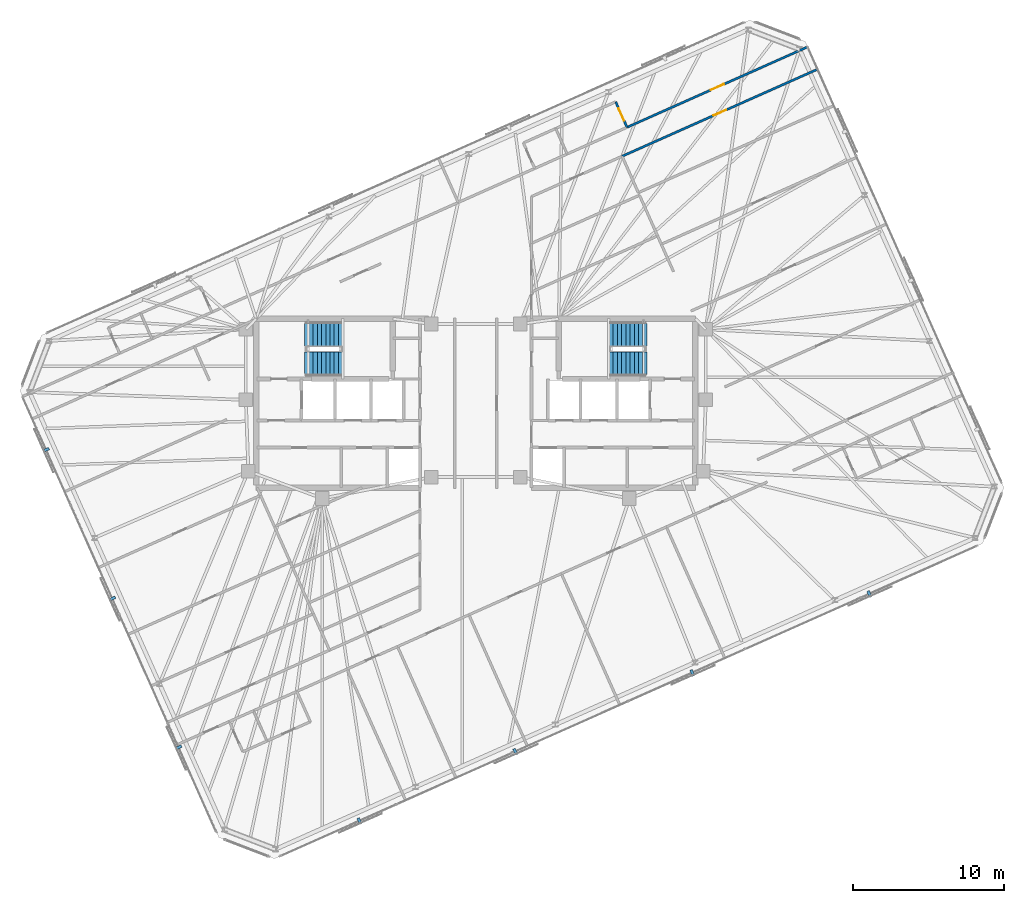
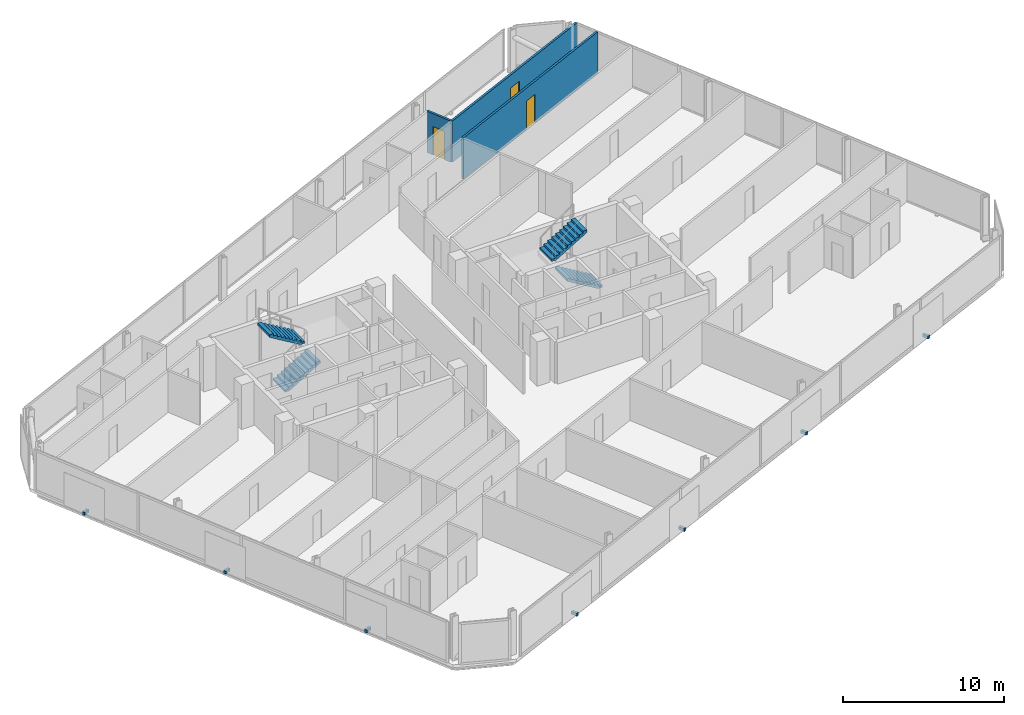
# One storey, part 17 of 19: 7 discrete accessories, 4 stair flights, 3 doors, 3 walls, 3 openings, 2 elements without a shape of their own.
"""IFC4 building model written with IfcOpenShell, lengths in metres."""

from ifc_helpers import new_model, si_unit, direction, frame, frame_2d, origin, origin_2d, place, context, subcontext, project, spatial, polyline, rectangle, outline, extrude, material, layer, layer_set, type_object, element, fill, aggregate, save


model = new_model("IFC4")

# Units and contexts
model_context = context("Model", 3, precision=1e-05, world=origin(), true_north=direction((0.0, 1.0)))
body_context = subcontext(model_context, "Body", "Model", "MODEL_VIEW")
ifc_project = project(units=[si_unit("LENGTHUNIT", "METRE"), si_unit("AREAUNIT", "SQUARE_METRE"), si_unit("VOLUMEUNIT", "CUBIC_METRE"), si_unit("PLANEANGLEUNIT", "RADIAN"), si_unit("MASSUNIT", "GRAM", prefix="KILO")], contexts=[model_context])

# Site, building, storey
site_placement = place(None, origin())
site = spatial("IfcSite", under=ifc_project, at=site_placement, CompositionType="ELEMENT")
building_placement = place(site_placement, origin())
building = spatial("IfcBuilding", under=site, at=building_placement, Name="Menara Jurai Vektor", CompositionType="ELEMENT")
storey_placement = place(building_placement, frame((0.0, 0.0, 262.199951171875)))
storey = spatial("IfcBuildingStorey", under=building, at=storey_placement, Name="L70", CompositionType="ELEMENT", Elevation=262.199951171875)

# Wall, opening, door
ifc_material_1 = material(Name="Gypsum Fireboard Partition", Category="gypsum")
ifc_layer = layer(ifc_material_1, 0.14990234375)
ifc_layer_set = layer_set([ifc_layer], Name="Gypsum Fireboard Partition")
wall_type = type_object("IfcWallType", Name="INT-WALL-CORR-150", PredefinedType="PARTITIONING", material=ifc_layer_set)
wall_1_placement = place(storey_placement, frame((10.029541015625, 18.294189453125, 0.0), z_axis=(0.0, 0.0, 1.0), x_axis=(0.913545706015, 0.406736085222, 0.0)))
wall_1 = element("IfcWall", 1, at=wall_1_placement, inside=storey, type_object=wall_type, Name="Interior Wall IW-150 L70", PredefinedType="PARTITIONING", context=body_context, shape_type="SweptSolid", body=[
    extrude(rectangle(XDim=13.113037109375, YDim=0.14990234375, at=frame_2d((6.556640625, 0.0))), origin(), (0.0, 0.0, 1.0), 3.125),
])
opening_1_placement = place(wall_1_placement, frame((6.08154296875, 0.0, 0.0)))
opening_1 = element("IfcOpeningElement", 2, at=opening_1_placement, cuts=wall_1, Name="Opening D70-12", PredefinedType="OPENING", context=body_context, shape_type="SweptSolid", body=[
    extrude(rectangle(XDim=0.949951171875, YDim=2.14990234375, at=frame_2d((0.47509765625, 1.074951171875))), frame((0.0, 0.0849609375, 0.0), z_axis=(0.0, -1.0, 0.0), x_axis=(1.0, 0.0, 0.0)), (0.0, 0.0, 1.0), 0.169921875),
])
ifc_material_2 = material(Name="Solid Core Timber Fire Door", Category="wood")
door_type_1 = type_object("IfcDoorType", Name="DR-ENTRY-950", OperationType="NOTDEFINED", PredefinedType="DOOR", material=ifc_material_2)
door_1_placement = place(opening_1_placement, origin())
door_1 = element("IfcDoor", 3, at=door_1_placement, inside=storey, type_object=door_type_1, Name="Interior Door D70-12", OperationType="SINGLE_SWING_LEFT", OverallHeight=2.14990234375, OverallWidth=0.949951171875, PredefinedType="DOOR", context=body_context, shape_type="SweptSolid", body=[
    extrude(rectangle(XDim=0.949951171875, YDim=2.14990234375, at=frame_2d((0.47509765625, 1.074951171875))), frame((0.0, 0.02490234375, 0.0), z_axis=(0.0, -1.0, 0.0), x_axis=(1.0, 0.0, 0.0)), (0.0, 0.0, 1.0), 0.050048828125),
])
fill(opening_1, door_1)

wall_2_placement = place(storey_placement, frame((9.70263671875, 16.37548828125, 0.0), z_axis=(0.0, 0.0, 1.0), x_axis=(0.913544622417, 0.406738519018, 0.0)))
wall_2 = element("IfcWall", 4, at=wall_2_placement, inside=storey, type_object=wall_type, Name="Interior Wall IW-150 L70", PredefinedType="PARTITIONING", context=body_context, shape_type="SweptSolid", body=[
    extrude(rectangle(XDim=14.192138671875, YDim=0.14990234375, at=frame_2d((7.09619140625, 0.0))), origin(), (0.0, 0.0, 1.0), 3.125),
])
opening_2_placement = place(wall_2_placement, frame((6.635986328125, 0.0, 0.0)))
opening_2 = element("IfcOpeningElement", 5, at=opening_2_placement, cuts=wall_2, Name="Opening D70-45", PredefinedType="OPENING", context=body_context, shape_type="SweptSolid", body=[
    extrude(rectangle(XDim=0.919921875, YDim=2.14990234375, at=frame_2d((0.4599609375, 1.074951171875))), frame((0.0, 0.0849609375, 0.0), z_axis=(0.0, -1.0, 0.0), x_axis=(1.0, 0.0, 0.0)), (0.0, 0.0, 1.0), 0.169921875),
])
door_2_placement = place(opening_2_placement, origin())
door_2 = element("IfcDoor", 6, at=door_2_placement, inside=storey, type_object=door_type_1, Name="Interior Door D70-45", OperationType="SINGLE_SWING_RIGHT", OverallHeight=2.14990234375, OverallWidth=0.919921875, PredefinedType="DOOR", context=body_context, shape_type="SweptSolid", body=[
    extrude(rectangle(XDim=0.919921875, YDim=2.14990234375, at=frame_2d((0.4599609375, 1.074951171875))), frame((0.0, 0.02490234375, 0.0), z_axis=(0.0, -1.0, 0.0), x_axis=(1.0, 0.0, 0.0)), (0.0, 0.0, 1.0), 0.050048828125),
])
fill(opening_2, door_2)

wall_3_placement = place(storey_placement, frame((10.029541015625, 18.294189453125, 0.0), z_axis=(0.0, 0.0, 1.0), x_axis=(-0.406701600856, 0.913561058639, 0.0)))
wall_3 = element("IfcWall", 7, at=wall_3_placement, inside=storey, type_object=wall_type, Name="Interior Wall IW-150 L70", PredefinedType="PARTITIONING", context=body_context, shape_type="SweptSolid", body=[
    extrude(rectangle(XDim=1.85009765625, YDim=0.14990234375, at=frame_2d((0.925048828125, 0.0))), origin(), (0.0, 0.0, 1.0), 3.125),
])
opening_3_placement = place(wall_3_placement, frame((0.47509765625, 0.0, 0.0)))
opening_3 = element("IfcOpeningElement", 8, at=opening_3_placement, cuts=wall_3, Name="Opening D70-14", PredefinedType="OPENING", context=body_context, shape_type="SweptSolid", body=[
    extrude(rectangle(XDim=0.89990234375, YDim=2.14990234375, at=frame_2d((0.449951171875, 1.074951171875))), frame((0.0, 0.0849609375, 0.0), z_axis=(0.0, -1.0, 0.0), x_axis=(1.0, 0.0, 0.0)), (0.0, 0.0, 1.0), 0.169921875),
])
ifc_material_3 = material(Name="Acoustic Timber Interior Door", Category="wood")
door_type_2 = type_object("IfcDoorType", Name="DR-ROOM-900", OperationType="NOTDEFINED", PredefinedType="DOOR", material=ifc_material_3)
door_3_placement = place(opening_3_placement, origin())
door_3 = element("IfcDoor", 9, at=door_3_placement, inside=storey, type_object=door_type_2, Name="Interior Door D70-14", OperationType="SINGLE_SWING_LEFT", OverallHeight=2.14990234375, OverallWidth=0.89990234375, PredefinedType="DOOR", context=body_context, shape_type="SweptSolid", body=[
    extrude(rectangle(XDim=0.89990234375, YDim=2.14990234375, at=frame_2d((0.449951171875, 1.074951171875))), frame((0.0, 0.02490234375, 0.0), z_axis=(0.0, -1.0, 0.0), x_axis=(1.0, 0.0, 0.0)), (0.0, 0.0, 1.0), 0.050048828125),
])
fill(opening_3, door_3)

# Stair, stair flights
ifc_material_4 = material(Name="Concrete C40/50", Category="concrete")
stair_type = type_object("IfcStairType", Name="STAIR-DOGLEG-1500", PredefinedType="HALF_TURN_STAIR", material=ifc_material_4)
stair_1_placement = place(storey_placement, origin())
stair_1 = element("IfcStair", 10, at=stair_1_placement, inside=storey, type_object=stair_type, Name="Protected Exit Stair ST1 L70", PredefinedType="HALF_TURN_STAIR")
stair_flight_type = type_object("IfcStairFlightType", Name="STAIR-FLIGHT-1500", PredefinedType="STRAIGHT", material=ifc_material_4)
stair_flight_1_placement = place(storey_placement, frame((-11.35009765625, 2.64990234375, 0.0), z_axis=(0.0, 0.0, 1.0), x_axis=(1.0, 0.0, 0.0)))
stair_flight_1 = element("IfcStairFlight", 11, at=stair_flight_1_placement, type_object=stair_flight_type, Name="ST1 flight 1", NumberOfRisers=10, NumberOfTreads=9, PredefinedType="STRAIGHT", RiserHeight=0.1675, TreadLength=0.28, context=body_context, shape_type="SweptSolid", body=[
    extrude(outline(polyline([(0.0, 0.0), (0.0, 0.16748046875), (0.280029296875, 0.16748046875), (0.280029296875, 0.3349609375), (0.56005859375, 0.3349609375), (0.56005859375, 0.50244140625), (0.840087890625, 0.50244140625), (0.840087890625, 0.669921875), (1.1201171875, 0.669921875), (1.1201171875, 0.83740234375), (1.39990234375, 0.83740234375), (1.39990234375, 1.0048828125), (1.679931640625, 1.0048828125), (1.679931640625, 1.172607421875), (1.9599609375, 1.172607421875), (1.9599609375, 1.340087890625), (2.239990234375, 1.340087890625), (2.239990234375, 1.507568359375), (2.52001953125, 1.507568359375), (2.52001953125, 1.675048828125), (2.52001953125, 1.321044921875), (0.3115234375, 0.0), (0.0, 0.0)])), frame((0.0, 0.75, 0.0), z_axis=(0.0, -1.0, 0.0), x_axis=(1.0, 0.0, 0.0)), (0.0, 0.0, 1.0), 1.5),
])
stair_flight_2_placement = place(storey_placement, frame((-8.830078125, 4.550048828125, 1.675048828125), z_axis=(0.0, 0.0, 1.0), x_axis=(-1.0, 0.0, 0.0)))
stair_flight_2 = element("IfcStairFlight", 12, at=stair_flight_2_placement, type_object=stair_flight_type, Name="ST1 flight 2", NumberOfRisers=10, NumberOfTreads=9, PredefinedType="STRAIGHT", RiserHeight=0.1675, TreadLength=0.28, context=body_context, shape_type="SweptSolid", body=[
    extrude(outline(polyline([(0.0, 0.0), (0.0, 0.16748046875), (0.280029296875, 0.16748046875), (0.280029296875, 0.3349609375), (0.56005859375, 0.3349609375), (0.56005859375, 0.50244140625), (0.840087890625, 0.50244140625), (0.840087890625, 0.669921875), (1.1201171875, 0.669921875), (1.1201171875, 0.83740234375), (1.39990234375, 0.83740234375), (1.39990234375, 1.0048828125), (1.679931640625, 1.0048828125), (1.679931640625, 1.172607421875), (1.9599609375, 1.172607421875), (1.9599609375, 1.340087890625), (2.239990234375, 1.340087890625), (2.239990234375, 1.507568359375), (2.52001953125, 1.507568359375), (2.52001953125, 1.675048828125), (2.52001953125, 1.321044921875), (0.3115234375, 0.0), (0.0, 0.0)])), frame((0.0, 0.75, 0.0), z_axis=(0.0, -1.0, 0.0), x_axis=(1.0, 0.0, 0.0)), (0.0, 0.0, 1.0), 1.5),
])
aggregate(stair_1, [stair_flight_1, stair_flight_2])

stair_2_placement = place(storey_placement, origin())
stair_2 = element("IfcStair", 13, at=stair_2_placement, inside=storey, type_object=stair_type, Name="Protected Exit Stair ST2 L70", PredefinedType="HALF_TURN_STAIR")
stair_flight_3_placement = place(storey_placement, frame((11.35009765625, 2.64990234375, 0.0), z_axis=(0.0, 0.0, 1.0), x_axis=(-1.0, 0.0, 0.0)))
stair_flight_3 = element("IfcStairFlight", 14, at=stair_flight_3_placement, type_object=stair_flight_type, Name="ST2 flight 1", NumberOfRisers=10, NumberOfTreads=9, PredefinedType="STRAIGHT", RiserHeight=0.1675, TreadLength=0.28, context=body_context, shape_type="SweptSolid", body=[
    extrude(outline(polyline([(0.0, 0.0), (0.0, 0.16748046875), (0.280029296875, 0.16748046875), (0.280029296875, 0.3349609375), (0.56005859375, 0.3349609375), (0.56005859375, 0.50244140625), (0.840087890625, 0.50244140625), (0.840087890625, 0.669921875), (1.1201171875, 0.669921875), (1.1201171875, 0.83740234375), (1.39990234375, 0.83740234375), (1.39990234375, 1.0048828125), (1.679931640625, 1.0048828125), (1.679931640625, 1.172607421875), (1.9599609375, 1.172607421875), (1.9599609375, 1.340087890625), (2.239990234375, 1.340087890625), (2.239990234375, 1.507568359375), (2.52001953125, 1.507568359375), (2.52001953125, 1.675048828125), (2.52001953125, 1.321044921875), (0.3115234375, 0.0), (0.0, 0.0)])), frame((0.0, 0.75, 0.0), z_axis=(0.0, -1.0, 0.0), x_axis=(1.0, 0.0, 0.0)), (0.0, 0.0, 1.0), 1.5),
])
stair_flight_4_placement = place(storey_placement, frame((8.830078125, 4.550048828125, 1.675048828125), z_axis=(0.0, 0.0, 1.0), x_axis=(1.0, 0.0, 0.0)))
stair_flight_4 = element("IfcStairFlight", 15, at=stair_flight_4_placement, type_object=stair_flight_type, Name="ST2 flight 2", NumberOfRisers=10, NumberOfTreads=9, PredefinedType="STRAIGHT", RiserHeight=0.1675, TreadLength=0.28, context=body_context, shape_type="SweptSolid", body=[
    extrude(outline(polyline([(0.0, 0.0), (0.0, 0.16748046875), (0.280029296875, 0.16748046875), (0.280029296875, 0.3349609375), (0.56005859375, 0.3349609375), (0.56005859375, 0.50244140625), (0.840087890625, 0.50244140625), (0.840087890625, 0.669921875), (1.1201171875, 0.669921875), (1.1201171875, 0.83740234375), (1.39990234375, 0.83740234375), (1.39990234375, 1.0048828125), (1.679931640625, 1.0048828125), (1.679931640625, 1.172607421875), (1.9599609375, 1.172607421875), (1.9599609375, 1.340087890625), (2.239990234375, 1.340087890625), (2.239990234375, 1.507568359375), (2.52001953125, 1.507568359375), (2.52001953125, 1.675048828125), (2.52001953125, 1.321044921875), (0.3115234375, 0.0), (0.0, 0.0)])), frame((0.0, 0.75, 0.0), z_axis=(0.0, -1.0, 0.0), x_axis=(1.0, 0.0, 0.0)), (0.0, 0.0, 1.0), 1.5),
])
aggregate(stair_2, [stair_flight_3, stair_flight_4])

# Discrete accessories
ifc_material_5 = material(Name="Steel S355", Category="steel")
discrete_accessory_type = type_object("IfcDiscreteAccessoryType", Name="ENV-ACC-BRACKET", PredefinedType="BRACKET", material=ifc_material_5)
for number, where, z_axis, x_axis, name in (
    (16, (-7.711181640625, -27.7109375, -0.1298828125), (0.0, 0.0, 1.0), (0.913545457643, 0.406736643076, 0.0), "Solar Screen Stand-Off Bracket L70-S01"),
    (17, (2.619140625, -23.111572265625, -0.1298828125), (0.0, 0.0, 1.0), (0.913545457643, 0.406736643076, 0.0), "Solar Screen Stand-Off Bracket L70-S02"),
    (18, (14.358154296875, -17.885009765625, -0.1298828125), (0.0, 0.0, 1.0), (0.913545457643, 0.406736643076, 0.0), "Solar Screen Stand-Off Bracket L70-S03"),
    (19, (26.09716796875, -12.658203125, -0.1298828125), (0.0, 0.0, 1.0), (0.913545457643, 0.406736643076, 0.0), "Solar Screen Stand-Off Bracket L70-S04"),
    (20, (-28.499267578125, -3.09375, -0.1298828125), (0.0, 0.0, 1.0), (0.406736643076, -0.913545457643, 0.0), "Solar Screen Stand-Off Bracket L70-S12"),
    (21, (-24.1064453125, -12.960205078125, -0.1298828125), (0.0, 0.0, 1.0), (0.406736643076, -0.913545457643, 0.0), "Solar Screen Stand-Off Bracket L70-S13"),
    (22, (-19.713623046875, -22.826416015625, -0.1298828125), (0.0, 0.0, 1.0), (0.406736643076, -0.913545457643, 0.0), "Solar Screen Stand-Off Bracket L70-S14"),
):
    element("IfcDiscreteAccessory", number, at=place(storey_placement, frame(where, z_axis=z_axis, x_axis=x_axis)), inside=storey, type_object=discrete_accessory_type, Name=name, PredefinedType="BRACKET", context=body_context, shape_type="SweptSolid", body=[
        extrude(rectangle(XDim=0.179931640625, YDim=0.43994140625, at=origin_2d()), origin(), (0.0, 0.0, 1.0), 0.219970703125),
    ])

save(model, "model.ifc")
